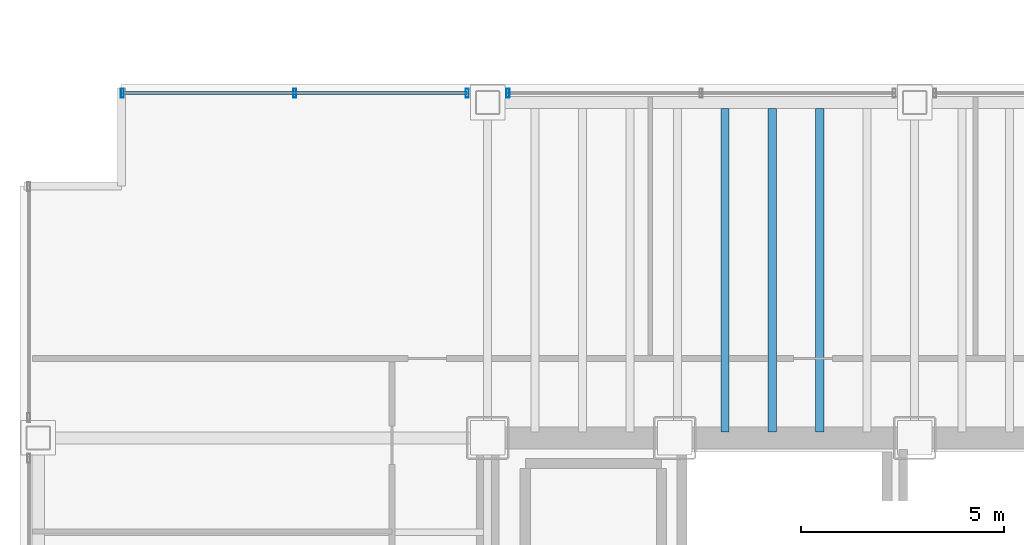
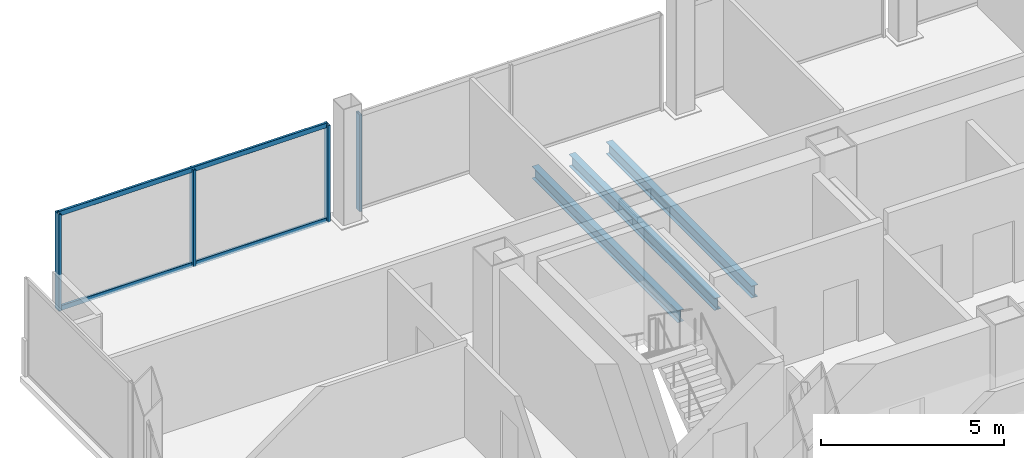
# One storey, part 16 of 30: 6 members, 3 beams, 2 elements without a shape of their own.
"""IFC4 building model written with IfcOpenShell, lengths in metres."""

import ifcopenshell
import ifcopenshell.guid

model = None  # the IFC model being written
_history = None  # IfcOwnerHistory: only IFC2X3 demands one
_inside = {}  # id of a spatial element -> (the spatial element, [elements in it])
_under = {}  # id of a project, library or spatial element -> (it, [spatial elements below it])
_declared = {}  # id of a project -> (the project, [libraries it declares])
_typed = {}  # id of a type object -> (the type object, [elements of that type])
_made_of = {}  # id of a material, layer set ... -> (it, [elements and type objects made of it])


def new_model(schema):
    """Start an empty IFC model of exactly this schema.

    Asked for "IFC4X3", IfcOpenShell would pick the latest addendum, in which some entities
    have other attributes; the version numbers below select the first issue.
    IFC2X3 requires an IfcOwnerHistory on every rooted entity: one is made here for all.
    """
    global model, _history
    if schema == "IFC4X3":
        model = ifcopenshell.file(schema_version=(4, 3, 0, 0))
    else:
        model = ifcopenshell.file(schema=schema)
    _inside.clear()
    _under.clear()
    _declared.clear()
    _typed.clear()
    _made_of.clear()
    _history = None
    if model.schema == "IFC2X3":
        org = make("IfcOrganization", Name="unknown")
        user = make(
            "IfcPersonAndOrganization",
            ThePerson=make("IfcPerson", FamilyName="unknown"),
            TheOrganization=org,
        )
        app = make(
            "IfcApplication",
            ApplicationDeveloper=org,
            Version="unknown",
            ApplicationFullName="unknown",
            ApplicationIdentifier="unknown",
        )
        _history = make(
            "IfcOwnerHistory",
            OwningUser=user,
            OwningApplication=app,
            ChangeAction="ADDED",
            CreationDate=0,
        )
    return model


def make(cls, **values):
    """One entity of the class cls with the attributes given. An attribute that is None is left unset."""
    return model.create_entity(
        cls, **{name: value for name, value in values.items() if value is not None}
    )


def rooted(cls, **values):
    """An entity with a GlobalId (a new one), such as an element, a storey or a relation."""
    return make(cls, GlobalId=ifcopenshell.guid.new(), OwnerHistory=_history, **values)


def si_unit(unit_type, name, prefix=None):
    """IfcSIUnit, for example si_unit("LENGTHUNIT", "METRE", prefix="MILLI")."""
    return make("IfcSIUnit", UnitType=unit_type, Prefix=prefix, Name=name)


def assignment(units):
    """IfcUnitAssignment: the units of a project."""
    return None if units is None else make("IfcUnitAssignment", Units=units)


def point(xyz):
    """IfcCartesianPoint."""
    return None if xyz is None else make("IfcCartesianPoint", Coordinates=xyz)


def direction(xyz):
    """IfcDirection."""
    return None if xyz is None else make("IfcDirection", DirectionRatios=xyz)


def frame(location, z_axis=None, x_axis=None):
    """IfcAxis2Placement3D, a coordinate frame: its origin and axes. An axis left out is left unset."""
    return make(
        "IfcAxis2Placement3D",
        Location=point(location),
        Axis=direction(z_axis),
        RefDirection=direction(x_axis),
    )


def frame_2d(location, x_axis=None):
    """IfcAxis2Placement2D, a coordinate frame in the plane: its origin and x axis."""
    return make(
        "IfcAxis2Placement2D", Location=point(location), RefDirection=direction(x_axis)
    )


def origin():
    """The frame at (0, 0, 0) with its axes left unset."""
    return frame((0.0, 0.0, 0.0))


def origin_2d():
    """The frame at (0, 0) in the plane with its x axis left unset."""
    return frame_2d((0.0, 0.0))


def place(relative_to, where):
    """IfcLocalPlacement: puts the frame where relative to a parent placement (None: the world)."""
    return make(
        "IfcLocalPlacement", PlacementRelTo=relative_to, RelativePlacement=where
    )


def context(
    kind, dimensions, precision=None, world=None, true_north=None, identifier=None
):
    """IfcGeometricRepresentationContext, for example the 3D "Model" context."""
    return make(
        "IfcGeometricRepresentationContext",
        ContextIdentifier=identifier,
        ContextType=kind,
        CoordinateSpaceDimension=dimensions,
        Precision=precision,
        WorldCoordinateSystem=world,
        TrueNorth=true_north,
    )


def subcontext(parent, identifier, kind, view, scale=None):
    """IfcGeometricRepresentationSubContext, for example "Body" below "Model"."""
    return make(
        "IfcGeometricRepresentationSubContext",
        ContextIdentifier=identifier,
        ContextType=kind,
        ParentContext=parent,
        TargetScale=scale,
        TargetView=view,
    )


def project(units=None, contexts=None):
    """IfcProject with its units and contexts."""
    return rooted(
        "IfcProject",
        Name="project",
        RepresentationContexts=contexts,
        UnitsInContext=assignment(units),
    )


def spatial(cls, under=None, at=None, **own):
    """A site, building, storey or space (cls), placed at a placement, below another one or the project."""
    s = rooted(cls, ObjectPlacement=at, **own)
    if under is not None:
        _under.setdefault(under.id(), (under, []))[1].append(s)
    return s


def profile(cls, at=None, kind="AREA", **sizes):
    """A parametric profile (cls). Its sizes go by their IFC names, for example OverallWidth=200.0."""
    return make(cls, ProfileType=kind, Position=at, **sizes)


def hollow_rectangle(**sizes):
    """IfcRectangleHollowProfileDef."""
    return profile("IfcRectangleHollowProfileDef", **sizes)


def i_section(**sizes):
    """IfcIShapeProfileDef."""
    return profile("IfcIShapeProfileDef", **sizes)


def extrude(swept, where, along, depth):
    """IfcExtrudedAreaSolid: the profile swept, set in the frame where, extruded along a direction by depth."""
    return make(
        "IfcExtrudedAreaSolid",
        SweptArea=swept,
        Position=where,
        ExtrudedDirection=direction(along),
        Depth=depth,
    )


def shape(context_of_items, identifier, shape_type, items):
    """IfcShapeRepresentation: the items that make up one representation, for example the "Body"."""
    return make(
        "IfcShapeRepresentation",
        ContextOfItems=context_of_items,
        RepresentationIdentifier=identifier,
        RepresentationType=shape_type,
        Items=items,
    )


def material(Name=None, Category=None):
    """IfcMaterial."""
    return make("IfcMaterial", Name=Name, Category=Category)


def material_profile(
    of_material, cross_section, Name=None, Category=None, Priority=None
):
    """IfcMaterialProfile: a cross section and its material."""
    return make(
        "IfcMaterialProfile",
        Name=Name,
        Material=of_material,
        Profile=cross_section,
        Priority=Priority,
        Category=Category,
    )


def profile_set(profiles, Name=None, composite=None):
    """IfcMaterialProfileSet."""
    return make(
        "IfcMaterialProfileSet",
        Name=Name,
        MaterialProfiles=profiles,
        CompositeProfile=composite,
    )


def made_of(thing, what):
    """Note that an element or type object is made of a material, layer set ...; save() writes the relation."""
    if what is not None:
        _made_of.setdefault(what.id(), (what, []))[1].append(thing)
    return thing


def type_object(cls, material=None, **own):
    """A type object (cls), such as IfcWallType, which elements share."""
    return made_of(rooted(cls, **own), material)


def element(
    cls,
    number,
    at=None,
    inside=None,
    cuts=None,
    type_object=None,
    material=None,
    context=None,
    identifier="Body",
    shape_type=None,
    held_by="IfcProductDefinitionShape",
    body=None,
    shapes=None,
    **own,
):
    """One element of the class cls, such as IfcWall. Its Tag is "e" and its number.

    at: its placement. inside: the storey or other place that contains it. cuts: it is an
    opening in that element (IfcRelVoidsElement). A single representation is given by context,
    identifier, shape_type and body (its items); several are given by shapes. held_by: the class
    of the entity that holds the representations. save() writes the other relations.
    """
    e = rooted(cls, Tag="e%d" % number, ObjectPlacement=at, **own)
    if body is not None:
        shapes = [shape(context, identifier, shape_type, body)]
    if shapes is not None:
        e.Representation = make(held_by, Representations=shapes)
    if inside is not None:
        _inside.setdefault(inside.id(), (inside, []))[1].append(e)
    if cuts is not None:
        rooted(
            "IfcRelVoidsElement", RelatingBuildingElement=cuts, RelatedOpeningElement=e
        )
    if type_object is not None:
        _typed.setdefault(type_object.id(), (type_object, []))[1].append(e)
    return made_of(e, material)


def aggregate(whole, parts):
    """IfcRelAggregates: a whole, such as a stair, and the parts it consists of."""
    return rooted("IfcRelAggregates", RelatingObject=whole, RelatedObjects=parts)


def save(model, path):
    """Write the relations noted so far, then the file.

    IfcRelAggregates (storeys below a building ...), IfcRelContainedInSpatialStructure (elements
    in a storey), IfcRelDefinesByType, IfcRelAssociatesMaterial and IfcRelDeclares: one each for
    every whole, place, type object, material and project.
    """
    for whole, parts in _under.values():
        aggregate(whole, parts)
    for where, things in _inside.values():
        rooted(
            "IfcRelContainedInSpatialStructure",
            RelatedElements=things,
            RelatingStructure=where,
        )
    for kind, things in _typed.values():
        rooted("IfcRelDefinesByType", RelatedObjects=things, RelatingType=kind)
    for what, things in _made_of.values():
        rooted("IfcRelAssociatesMaterial", RelatedObjects=things, RelatingMaterial=what)
    for by, libraries in _declared.values():
        rooted("IfcRelDeclares", RelatingContext=by, RelatedDefinitions=libraries)
    model.write(path)


model = new_model("IFC4")

# Units and contexts
model_context = context("Model", 3, precision=1e-05, world=origin(), true_north=direction((0.0, 1.0)))
body_context = subcontext(model_context, "Body", "Model", "MODEL_VIEW")
ifc_project = project(units=[si_unit("LENGTHUNIT", "METRE"), si_unit("AREAUNIT", "SQUARE_METRE"), si_unit("VOLUMEUNIT", "CUBIC_METRE"), si_unit("PLANEANGLEUNIT", "RADIAN"), si_unit("MASSUNIT", "GRAM", prefix="KILO")], contexts=[model_context])

# Site, building, storey
site_placement = place(None, origin())
site = spatial("IfcSite", under=ifc_project, at=site_placement, CompositionType="ELEMENT")
building_placement = place(site_placement, origin())
building = spatial("IfcBuilding", under=site, at=building_placement, Name="Noeulbin Bourse Tower", CompositionType="ELEMENT")
storey_placement = place(building_placement, frame((0.0, 0.0, 26.5)))
storey = spatial("IfcBuildingStorey", under=building, at=storey_placement, Name="L06", CompositionType="ELEMENT", Elevation=26.5)

# Beams
ifc_material_1 = material(Name="Steel S355", Category="steel")
ifc_material_profile_1 = material_profile(ifc_material_1, i_section(OverallWidth=0.199951171875, OverallDepth=0.39990234375, WebThickness=0.008056640625, FlangeThickness=0.012939453125, FilletRadius=0.01611328125, at=origin_2d()), Name="H-400x200x8x13", Category="LoadBearing")
ifc_profile_set_1 = profile_set([ifc_material_profile_1], Name="Steel S355")
beam_type = type_object("IfcBeamType", Name="BM-SEC-400", PredefinedType="BEAM", material=ifc_profile_set_1)
for number, where, z_axis, x_axis, name in (
    (1, (19.333251953125, 38.449951171875, -0.3798828125), (0.0, 1.0, 0.0), (-1.0, 0.0, 0.0), "Tower Composite Joist L06-14"),
    (2, (20.5, 38.449951171875, -0.3798828125), (0.0, 1.0, 0.0), (-1.0, 0.0, 0.0), "Tower Composite Joist L06-17"),
    (3, (21.666748046875, 38.449951171875, -0.3798828125), (0.0, 1.0, 0.0), (-1.0, 0.0, 0.0), "Tower Composite Joist L06-20"),
):
    element("IfcBeam", number, at=place(storey_placement, frame(where, z_axis=z_axis, x_axis=x_axis)), inside=storey, type_object=beam_type, Name=name, PredefinedType="BEAM", context=body_context, shape_type="SweptSolid", body=[
        extrude(i_section(OverallWidth=0.199951171875, OverallDepth=0.39990234375, WebThickness=0.008056640625, FlangeThickness=0.012939453125, FilletRadius=0.01611328125, at=origin_2d()), origin(), (0.0, 0.0, 1.0), 7.949951171875),
    ])

# Curtain wall, members
ifc_material_2 = material(Name="Dark Solar-Control Double Glazing", Category="glass")
curtain_wall_type = type_object("IfcCurtainWallType", Name="CW-SYS-2", PredefinedType="NOTDEFINED", material=ifc_material_2)
curtain_wall_1_placement = place(storey_placement, origin())
curtain_wall_1 = element("IfcCurtainWall", 4, at=curtain_wall_1_placement, inside=storey, type_object=curtain_wall_type, Name="Unitised Curtain Wall CW-L06-N-S1", PredefinedType="NOTDEFINED")
ifc_material_3 = material(Name="Anodised Aluminium 6063-T6", Category="aluminium")
ifc_material_profile_2 = material_profile(ifc_material_3, hollow_rectangle(XDim=0.074951171875, YDim=0.219970703125, WallThickness=0.0048828125, InnerFilletRadius=0.00244140625, OuterFilletRadius=0.0048828125, at=origin_2d()), Name="ALU-MULL-75x220x5", Category="LoadBearing")
ifc_profile_set_2 = profile_set([ifc_material_profile_2], Name="Anodised Aluminium 6063-T6")
member_type_1 = type_object("IfcMemberType", Name="CW-SYS-2-MUL", PredefinedType="MULLION", material=ifc_profile_set_2)
member_1_placement = place(storey_placement, frame((4.52001953125, 46.780029296875, -0.02001953125), z_axis=(0.0, 0.0, 1.0), x_axis=(1.0, 0.0, 0.0)))
member_1 = element("IfcMember", 5, at=member_1_placement, type_object=member_type_1, Name="Curtain Wall Mullion CW-L06-N-S1-M00", PredefinedType="MULLION", context=body_context, shape_type="SweptSolid", body=[
    extrude(hollow_rectangle(XDim=0.074951171875, YDim=0.219970703125, WallThickness=0.0048828125, InnerFilletRadius=0.00244140625, OuterFilletRadius=0.0048828125, at=origin_2d()), origin(), (0.0, 0.0, 1.0), 3.219970703125),
])
member_2_placement = place(storey_placement, frame((8.760009765625, 46.780029296875, -0.02001953125), z_axis=(0.0, 0.0, 1.0), x_axis=(1.0, 0.0, 0.0)))
member_2 = element("IfcMember", 6, at=member_2_placement, type_object=member_type_1, Name="Curtain Wall Mullion CW-L06-N-S1-M01", PredefinedType="MULLION", context=body_context, shape_type="SweptSolid", body=[
    extrude(hollow_rectangle(XDim=0.074951171875, YDim=0.219970703125, WallThickness=0.0048828125, InnerFilletRadius=0.00244140625, OuterFilletRadius=0.0048828125, at=origin_2d()), origin(), (0.0, 0.0, 1.0), 3.219970703125),
])
member_3_placement = place(storey_placement, frame((13.0, 46.780029296875, -0.02001953125), z_axis=(0.0, 0.0, 1.0), x_axis=(1.0, 0.0, 0.0)))
member_3 = element("IfcMember", 7, at=member_3_placement, type_object=member_type_1, Name="Curtain Wall Mullion CW-L06-N-S1-M02", PredefinedType="MULLION", context=body_context, shape_type="SweptSolid", body=[
    extrude(hollow_rectangle(XDim=0.074951171875, YDim=0.219970703125, WallThickness=0.0048828125, InnerFilletRadius=0.00244140625, OuterFilletRadius=0.0048828125, at=origin_2d()), origin(), (0.0, 0.0, 1.0), 3.219970703125),
])

# Curtain wall, member
curtain_wall_2_placement = place(storey_placement, origin())
curtain_wall_2 = element("IfcCurtainWall", 8, at=curtain_wall_2_placement, inside=storey, type_object=curtain_wall_type, Name="Unitised Curtain Wall CW-L06-N-S2", PredefinedType="NOTDEFINED")
member_4_placement = place(storey_placement, frame((14.0, 46.780029296875, -0.02001953125), z_axis=(0.0, 0.0, 1.0), x_axis=(1.0, 0.0, 0.0)))
member_4 = element("IfcMember", 9, at=member_4_placement, type_object=member_type_1, Name="Curtain Wall Mullion CW-L06-N-S2-M00", PredefinedType="MULLION", context=body_context, shape_type="SweptSolid", body=[
    extrude(hollow_rectangle(XDim=0.074951171875, YDim=0.219970703125, WallThickness=0.0048828125, InnerFilletRadius=0.00244140625, OuterFilletRadius=0.0048828125, at=origin_2d()), origin(), (0.0, 0.0, 1.0), 3.219970703125),
])
aggregate(curtain_wall_2, [member_4])

# Member
ifc_material_profile_3 = material_profile(ifc_material_3, hollow_rectangle(XDim=0.074951171875, YDim=0.159912109375, WallThickness=0.0048828125, InnerFilletRadius=0.00244140625, OuterFilletRadius=0.0048828125, at=origin_2d()), Name="ALU-TRAN-75x160x5", Category="LoadBearing")
ifc_profile_set_3 = profile_set([ifc_material_profile_3], Name="Anodised Aluminium 6063-T6")
member_type_2 = type_object("IfcMemberType", Name="CW-SYS-2-TRN", PredefinedType="USERDEFINED", material=ifc_profile_set_3)
member_5_placement = place(storey_placement, frame((4.530029296875, 46.780029296875, 0.010009765625), z_axis=(1.0, 0.0, 0.0), x_axis=(0.0, 1.0, 0.0)))
member_5 = element("IfcMember", 10, at=member_5_placement, type_object=member_type_2, Name="Curtain Wall Transom CW-L06-N-S1-T00", ObjectType="TRANSOM", PredefinedType="USERDEFINED", context=body_context, shape_type="SweptSolid", body=[
    extrude(hollow_rectangle(XDim=0.074951171875, YDim=0.159912109375, WallThickness=0.0048828125, InnerFilletRadius=0.00244140625, OuterFilletRadius=0.0048828125, at=origin_2d()), origin(), (0.0, 0.0, 1.0), 8.4599609375),
])

member_6_placement = place(storey_placement, frame((4.530029296875, 46.780029296875, 3.169921875), z_axis=(1.0, 0.0, 0.0), x_axis=(0.0, 1.0, 0.0)))
member_6 = element("IfcMember", 11, at=member_6_placement, type_object=member_type_2, Name="Curtain Wall Transom CW-L06-N-S1-T01", ObjectType="TRANSOM", PredefinedType="USERDEFINED", context=body_context, shape_type="SweptSolid", body=[
    extrude(hollow_rectangle(XDim=0.074951171875, YDim=0.159912109375, WallThickness=0.0048828125, InnerFilletRadius=0.00244140625, OuterFilletRadius=0.0048828125, at=origin_2d()), origin(), (0.0, 0.0, 1.0), 8.4599609375),
])

aggregate(curtain_wall_1, [member_1, member_2, member_3, member_5, member_6])

save(model, "model.ifc")
